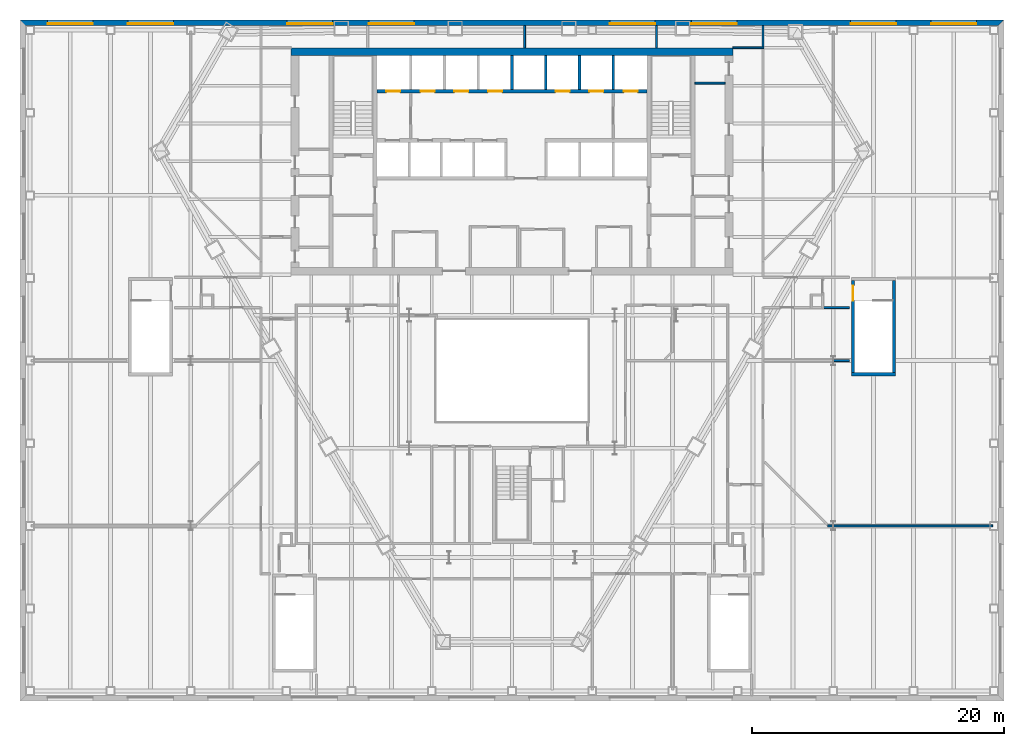
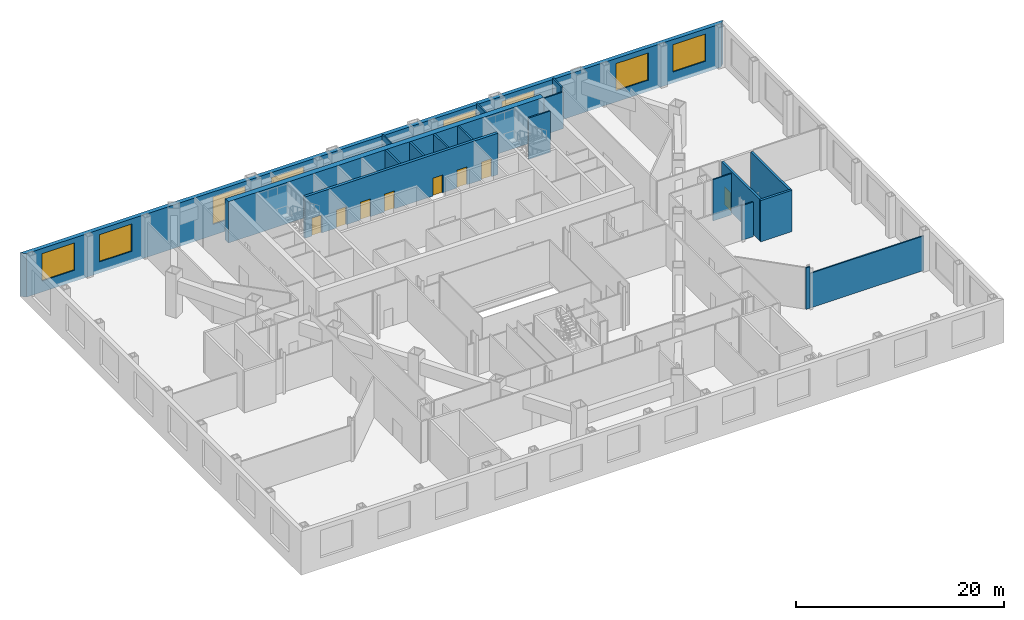
# One storey, part 13 of 17: 19 walls, 8 doors, 8 windows, 16 openings.
"""IFC4 building model written with IfcOpenShell, lengths in metres."""

import ifcopenshell
import ifcopenshell.guid

model = None  # the IFC model being written
_history = None  # IfcOwnerHistory: only IFC2X3 demands one
_inside = {}  # id of a spatial element -> (the spatial element, [elements in it])
_under = {}  # id of a project, library or spatial element -> (it, [spatial elements below it])
_declared = {}  # id of a project -> (the project, [libraries it declares])
_typed = {}  # id of a type object -> (the type object, [elements of that type])
_made_of = {}  # id of a material, layer set ... -> (it, [elements and type objects made of it])


def new_model(schema):
    """Start an empty IFC model of exactly this schema.

    Asked for "IFC4X3", IfcOpenShell would pick the latest addendum, in which some entities
    have other attributes; the version numbers below select the first issue.
    IFC2X3 requires an IfcOwnerHistory on every rooted entity: one is made here for all.
    """
    global model, _history
    if schema == "IFC4X3":
        model = ifcopenshell.file(schema_version=(4, 3, 0, 0))
    else:
        model = ifcopenshell.file(schema=schema)
    _inside.clear()
    _under.clear()
    _declared.clear()
    _typed.clear()
    _made_of.clear()
    _history = None
    if model.schema == "IFC2X3":
        org = make("IfcOrganization", Name="unknown")
        user = make(
            "IfcPersonAndOrganization",
            ThePerson=make("IfcPerson", FamilyName="unknown"),
            TheOrganization=org,
        )
        app = make(
            "IfcApplication",
            ApplicationDeveloper=org,
            Version="unknown",
            ApplicationFullName="unknown",
            ApplicationIdentifier="unknown",
        )
        _history = make(
            "IfcOwnerHistory",
            OwningUser=user,
            OwningApplication=app,
            ChangeAction="ADDED",
            CreationDate=0,
        )
    return model


def make(cls, **values):
    """One entity of the class cls with the attributes given. An attribute that is None is left unset."""
    return model.create_entity(
        cls, **{name: value for name, value in values.items() if value is not None}
    )


def rooted(cls, **values):
    """An entity with a GlobalId (a new one), such as an element, a storey or a relation."""
    return make(cls, GlobalId=ifcopenshell.guid.new(), OwnerHistory=_history, **values)


def si_unit(unit_type, name, prefix=None):
    """IfcSIUnit, for example si_unit("LENGTHUNIT", "METRE", prefix="MILLI")."""
    return make("IfcSIUnit", UnitType=unit_type, Prefix=prefix, Name=name)


def assignment(units):
    """IfcUnitAssignment: the units of a project."""
    return None if units is None else make("IfcUnitAssignment", Units=units)


def point(xyz):
    """IfcCartesianPoint."""
    return None if xyz is None else make("IfcCartesianPoint", Coordinates=xyz)


def direction(xyz):
    """IfcDirection."""
    return None if xyz is None else make("IfcDirection", DirectionRatios=xyz)


def frame(location, z_axis=None, x_axis=None):
    """IfcAxis2Placement3D, a coordinate frame: its origin and axes. An axis left out is left unset."""
    return make(
        "IfcAxis2Placement3D",
        Location=point(location),
        Axis=direction(z_axis),
        RefDirection=direction(x_axis),
    )


def frame_2d(location, x_axis=None):
    """IfcAxis2Placement2D, a coordinate frame in the plane: its origin and x axis."""
    return make(
        "IfcAxis2Placement2D", Location=point(location), RefDirection=direction(x_axis)
    )


def origin():
    """The frame at (0, 0, 0) with its axes left unset."""
    return frame((0.0, 0.0, 0.0))


def place(relative_to, where):
    """IfcLocalPlacement: puts the frame where relative to a parent placement (None: the world)."""
    return make(
        "IfcLocalPlacement", PlacementRelTo=relative_to, RelativePlacement=where
    )


def context(
    kind, dimensions, precision=None, world=None, true_north=None, identifier=None
):
    """IfcGeometricRepresentationContext, for example the 3D "Model" context."""
    return make(
        "IfcGeometricRepresentationContext",
        ContextIdentifier=identifier,
        ContextType=kind,
        CoordinateSpaceDimension=dimensions,
        Precision=precision,
        WorldCoordinateSystem=world,
        TrueNorth=true_north,
    )


def subcontext(parent, identifier, kind, view, scale=None):
    """IfcGeometricRepresentationSubContext, for example "Body" below "Model"."""
    return make(
        "IfcGeometricRepresentationSubContext",
        ContextIdentifier=identifier,
        ContextType=kind,
        ParentContext=parent,
        TargetScale=scale,
        TargetView=view,
    )


def project(units=None, contexts=None):
    """IfcProject with its units and contexts."""
    return rooted(
        "IfcProject",
        Name="project",
        RepresentationContexts=contexts,
        UnitsInContext=assignment(units),
    )


def spatial(cls, under=None, at=None, **own):
    """A site, building, storey or space (cls), placed at a placement, below another one or the project."""
    s = rooted(cls, ObjectPlacement=at, **own)
    if under is not None:
        _under.setdefault(under.id(), (under, []))[1].append(s)
    return s


def polyline(points):
    """IfcPolyline through the points."""
    return make("IfcPolyline", Points=[point(p) for p in points])


def profile(cls, at=None, kind="AREA", **sizes):
    """A parametric profile (cls). Its sizes go by their IFC names, for example OverallWidth=200.0."""
    return make(cls, ProfileType=kind, Position=at, **sizes)


def rectangle(**sizes):
    """IfcRectangleProfileDef."""
    return profile("IfcRectangleProfileDef", **sizes)


def outline(outer, holes=None, kind="AREA"):
    """IfcArbitraryClosedProfileDef: a profile drawn as a closed curve; with holes, ...WithVoids."""
    if holes is None:
        return make("IfcArbitraryClosedProfileDef", ProfileType=kind, OuterCurve=outer)
    return make(
        "IfcArbitraryProfileDefWithVoids",
        ProfileType=kind,
        OuterCurve=outer,
        InnerCurves=holes,
    )


def extrude(swept, where, along, depth):
    """IfcExtrudedAreaSolid: the profile swept, set in the frame where, extruded along a direction by depth."""
    return make(
        "IfcExtrudedAreaSolid",
        SweptArea=swept,
        Position=where,
        ExtrudedDirection=direction(along),
        Depth=depth,
    )


def shape(context_of_items, identifier, shape_type, items):
    """IfcShapeRepresentation: the items that make up one representation, for example the "Body"."""
    return make(
        "IfcShapeRepresentation",
        ContextOfItems=context_of_items,
        RepresentationIdentifier=identifier,
        RepresentationType=shape_type,
        Items=items,
    )


def material(Name=None, Category=None):
    """IfcMaterial."""
    return make("IfcMaterial", Name=Name, Category=Category)


def layer(
    of_material, thickness, ventilated=None, Name=None, Category=None, Priority=None
):
    """IfcMaterialLayer: one layer of a wall or slab, of a material (None: an air gap)."""
    return make(
        "IfcMaterialLayer",
        Material=of_material,
        LayerThickness=thickness,
        IsVentilated=ventilated,
        Name=Name,
        Category=Category,
        Priority=Priority,
    )


def layer_set(layers, Name=None):
    """IfcMaterialLayerSet."""
    return make("IfcMaterialLayerSet", MaterialLayers=layers, LayerSetName=Name)


def made_of(thing, what):
    """Note that an element or type object is made of a material, layer set ...; save() writes the relation."""
    if what is not None:
        _made_of.setdefault(what.id(), (what, []))[1].append(thing)
    return thing


def type_object(cls, material=None, **own):
    """A type object (cls), such as IfcWallType, which elements share."""
    return made_of(rooted(cls, **own), material)


def element(
    cls,
    number,
    at=None,
    inside=None,
    cuts=None,
    type_object=None,
    material=None,
    context=None,
    identifier="Body",
    shape_type=None,
    held_by="IfcProductDefinitionShape",
    body=None,
    shapes=None,
    **own,
):
    """One element of the class cls, such as IfcWall. Its Tag is "e" and its number.

    at: its placement. inside: the storey or other place that contains it. cuts: it is an
    opening in that element (IfcRelVoidsElement). A single representation is given by context,
    identifier, shape_type and body (its items); several are given by shapes. held_by: the class
    of the entity that holds the representations. save() writes the other relations.
    """
    e = rooted(cls, Tag="e%d" % number, ObjectPlacement=at, **own)
    if body is not None:
        shapes = [shape(context, identifier, shape_type, body)]
    if shapes is not None:
        e.Representation = make(held_by, Representations=shapes)
    if inside is not None:
        _inside.setdefault(inside.id(), (inside, []))[1].append(e)
    if cuts is not None:
        rooted(
            "IfcRelVoidsElement", RelatingBuildingElement=cuts, RelatedOpeningElement=e
        )
    if type_object is not None:
        _typed.setdefault(type_object.id(), (type_object, []))[1].append(e)
    return made_of(e, material)


def fill(opening, filler):
    """IfcRelFillsElement: the door or window that sits in an opening."""
    return rooted(
        "IfcRelFillsElement",
        RelatingOpeningElement=opening,
        RelatedBuildingElement=filler,
    )


def aggregate(whole, parts):
    """IfcRelAggregates: a whole, such as a stair, and the parts it consists of."""
    return rooted("IfcRelAggregates", RelatingObject=whole, RelatedObjects=parts)


def save(model, path):
    """Write the relations noted so far, then the file.

    IfcRelAggregates (storeys below a building ...), IfcRelContainedInSpatialStructure (elements
    in a storey), IfcRelDefinesByType, IfcRelAssociatesMaterial and IfcRelDeclares: one each for
    every whole, place, type object, material and project.
    """
    for whole, parts in _under.values():
        aggregate(whole, parts)
    for where, things in _inside.values():
        rooted(
            "IfcRelContainedInSpatialStructure",
            RelatedElements=things,
            RelatingStructure=where,
        )
    for kind, things in _typed.values():
        rooted("IfcRelDefinesByType", RelatedObjects=things, RelatingType=kind)
    for what, things in _made_of.values():
        rooted("IfcRelAssociatesMaterial", RelatedObjects=things, RelatingMaterial=what)
    for by, libraries in _declared.values():
        rooted("IfcRelDeclares", RelatingContext=by, RelatedDefinitions=libraries)
    model.write(path)


model = new_model("IFC4")

# Units and contexts
model_context = context("Model", 3, precision=1e-05, world=origin(), true_north=direction((0.0, 1.0)))
body_context = subcontext(model_context, "Body", "Model", "MODEL_VIEW")
ifc_project = project(units=[si_unit("LENGTHUNIT", "METRE"), si_unit("AREAUNIT", "SQUARE_METRE"), si_unit("VOLUMEUNIT", "CUBIC_METRE"), si_unit("PLANEANGLEUNIT", "RADIAN"), si_unit("MASSUNIT", "GRAM", prefix="KILO")], contexts=[model_context])

# Site, building, storey
site_placement = place(None, origin())
site = spatial("IfcSite", under=ifc_project, at=site_placement, CompositionType="ELEMENT")
building_placement = place(site_placement, origin())
building = spatial("IfcBuilding", under=site, at=building_placement, Name="Njiva Tower", CompositionType="ELEMENT")
storey_placement = place(building_placement, frame((0.0, 0.0, 23.7)))
storey = spatial("IfcBuildingStorey", under=building, at=storey_placement, Name="L04", CompositionType="ELEMENT", Elevation=23.7)

# Walls
ifc_material_1 = material(Name="Blockwork", Category="masonry")
ifc_layer_1 = layer(ifc_material_1, 0.15)
ifc_layer_set_1 = layer_set([ifc_layer_1], Name="Blockwork")
wall_type_1 = type_object("IfcWallType", Name="WT1 Compartment partition 150", PredefinedType="PARTITIONING", material=ifc_layer_set_1)
wall_1_placement = place(storey_placement, frame((14.5, 15.1914, 0.0), z_axis=(0.0, 0.0, 1.0), x_axis=(1.0, 0.0, 0.0)))
element("IfcWall", 1, at=wall_1_placement, inside=storey, type_object=wall_type_1, Name="Partition strip E10", PredefinedType="PARTITIONING", context=body_context, shape_type="SweptSolid", body=[
    extrude(rectangle(XDim=2.4, YDim=0.15, at=frame_2d((1.2, 0.0))), origin(), (0.0, 0.0, 1.0), 4.85),
])
ifc_material_2 = material(Name="Concrete C60/75", Category="concrete")
ifc_layer_2 = layer(ifc_material_2, 0.6)
ifc_layer_set_2 = layer_set([ifc_layer_2], Name="Concrete C60/75")
wall_type_2 = type_object("IfcWallType", Name="WT15 Core wall 600", PredefinedType="SHEAR", material=ifc_layer_set_2)
wall_2_placement = place(storey_placement, frame((-17.5, 17.7, 0.0), z_axis=(0.0, 0.0, 1.0), x_axis=(1.0, 0.0, 0.0)))
element("IfcWall", 2, at=wall_2_placement, inside=storey, type_object=wall_type_2, Name="Core wall north", PredefinedType="SHEAR", context=body_context, shape_type="SweptSolid", body=[
    extrude(rectangle(XDim=35.0, YDim=0.6, at=frame_2d((17.5, 0.0))), origin(), (0.0, 0.0, 1.0), 4.85),
])
ifc_material_3 = material(Name="Gypsum board on steel studs", Category="gypsum")
ifc_layer_3 = layer(ifc_material_3, 0.15)
ifc_layer_set_3 = layer_set([ifc_layer_3], Name="Gypsum board on steel studs")
wall_type_3 = type_object("IfcWallType", Name="WT21 Compartment wall 150", PredefinedType="PARTITIONING", material=ifc_layer_set_3)
wall_3_placement = place(storey_placement, frame((25.467, -6.8, 0.0), z_axis=(0.0, 0.0, 1.0), x_axis=(1.0, 0.0, 0.0)))
element("IfcWall", 3, at=wall_3_placement, inside=storey, type_object=wall_type_3, Name="Partition L04-P079A", PredefinedType="PARTITIONING", context=body_context, shape_type="SweptSolid", body=[
    extrude(rectangle(XDim=1.283, YDim=0.15, at=frame_2d((0.6415, 0.0))), origin(), (0.0, 0.0, 1.0), 4.06),
])
wall_4_placement = place(storey_placement, frame((24.7, -2.6, 0.0), z_axis=(0.0, 0.0, 1.0), x_axis=(1.0, 0.0, 0.0)))
element("IfcWall", 4, at=wall_4_placement, inside=storey, type_object=wall_type_3, Name="Partition L04-P088", PredefinedType="PARTITIONING", context=body_context, shape_type="SweptSolid", body=[
    extrude(rectangle(XDim=2.05, YDim=0.15, at=frame_2d((1.025, 0.0))), origin(), (0.0, 0.0, 1.0), 4.85),
])
wall_5_placement = place(storey_placement, frame((25.026, -19.9, 0.0), z_axis=(0.0, 0.0, 1.0), x_axis=(1.0, 0.0, 0.0)))
element("IfcWall", 5, at=wall_5_placement, inside=storey, type_object=wall_type_3, Name="Partition L04-P089", PredefinedType="PARTITIONING", context=body_context, shape_type="SweptSolid", body=[
    extrude(rectangle(XDim=0.441, YDim=0.15, at=frame_2d((0.2205, 0.0))), origin(), (0.0, 0.0, 1.0), 4.85),
])
wall_6_placement = place(storey_placement, frame((25.467, -19.9, 0.0), z_axis=(0.0, 0.0, 1.0), x_axis=(0.999999996867, 7.9157761e-05, 0.0)))
element("IfcWall", 6, at=wall_6_placement, inside=storey, type_object=wall_type_3, Name="Partition L04-P089A", PredefinedType="PARTITIONING", context=body_context, shape_type="SweptSolid", body=[
    extrude(rectangle(XDim=12.633, YDim=0.15, at=frame_2d((6.3165, 0.0))), origin(), (0.0, 0.0, 1.0), 4.06),
])
ifc_layer_4 = layer(ifc_material_3, 0.15)
ifc_layer_set_4 = layer_set([ifc_layer_4], Name="Gypsum board on steel studs")
wall_type_4 = type_object("IfcWallType", Name="WT24 Riser room wall 150", PredefinedType="PARTITIONING", material=ifc_layer_set_4)
for number, where, z_axis, x_axis, name in (
    (7, (1.0, 18.0, 0.0), (0.0, 0.0, 1.0), (0.0, 1.0, 0.0), "Partition L04-P046"),
    (8, (11.45, 18.0, 0.0), (0.0, 0.0, 1.0), (0.0, 1.0, 0.0), "Partition L04-P056"),
):
    element("IfcWall", number, at=place(storey_placement, frame(where, z_axis=z_axis, x_axis=x_axis)), inside=storey, type_object=wall_type_4, Name=name, PredefinedType="PARTITIONING", context=body_context, shape_type="SweptSolid", body=[
        extrude(rectangle(XDim=1.75, YDim=0.15, at=frame_2d((0.875, 0.0))), origin(), (0.0, 0.0, 1.0), 4.85),
    ])
wall_7_placement = place(storey_placement, frame((17.5, 18.0, 0.0), z_axis=(0.0, 0.0, 1.0), x_axis=(1.0, 0.0, 0.0)))
element("IfcWall", 9, at=wall_7_placement, inside=storey, type_object=wall_type_4, Name="Partition L04-P067", PredefinedType="PARTITIONING", context=body_context, shape_type="SweptSolid", body=[
    extrude(rectangle(XDim=2.475, YDim=0.15, at=frame_2d((1.2375, 0.0))), origin(), (0.0, 0.0, 1.0), 4.3),
])
wall_8_placement = place(storey_placement, frame((19.9, 18.075, 0.0), z_axis=(0.0, 0.0, 1.0), x_axis=(0.0, 1.0, 0.0)))
element("IfcWall", 10, at=wall_8_placement, inside=storey, type_object=wall_type_4, Name="Partition L04-P077", PredefinedType="PARTITIONING", context=body_context, shape_type="SweptSolid", body=[
    extrude(rectangle(XDim=1.675, YDim=0.15, at=frame_2d((0.8375, 0.0))), origin(), (0.0, 0.0, 1.0), 4.85),
])
ifc_material_4 = material(Name="Concrete C40/50", Category="concrete")
ifc_layer_5 = layer(ifc_material_4, 0.2)
ifc_layer_set_5 = layer_set([ifc_layer_5], Name="Concrete C40/50")
wall_type_5 = type_object("IfcWallType", Name="WT6 Lift shaft wall 200", PredefinedType="SHEAR", material=ifc_layer_set_5)
for number, where, z_axis, x_axis, name in (
    (11, (0.0, 14.7, 0.0), (0.0, 0.0, 1.0), (0.0, 1.0, 0.0), "Shaft wall CN4"),
    (12, (2.675, 14.7, 0.0), (0.0, 0.0, 1.0), (0.0, 1.0, 0.0), "Shaft wall CN5"),
    (13, (5.35, 14.7, 0.0), (0.0, 0.0, 1.0), (0.0, 1.0, 0.0), "Shaft wall CN6"),
    (14, (8.025, 14.7, 0.0), (0.0, 0.0, 1.0), (0.0, 1.0, 0.0), "Shaft wall CN7"),
):
    element("IfcWall", number, at=place(storey_placement, frame(where, z_axis=z_axis, x_axis=x_axis)), inside=storey, type_object=wall_type_5, Name=name, PredefinedType="SHEAR", context=body_context, shape_type="SweptSolid", body=[
        extrude(rectangle(XDim=2.7, YDim=0.2, at=frame_2d((1.35, 0.0))), origin(), (0.0, 0.0, 1.0), 4.85),
    ])

# Wall, openings, doors
ifc_layer_6 = layer(ifc_material_4, 0.3)
ifc_layer_set_6 = layer_set([ifc_layer_6], Name="Concrete C40/50")
wall_type_6 = type_object("IfcWallType", Name="WT7 Lift shaft wall 300", PredefinedType="SHEAR", material=ifc_layer_set_6)
wall_9_placement = place(storey_placement, frame((-10.7, 14.55, 0.0), z_axis=(0.0, 0.0, 1.0), x_axis=(1.0, 0.0, 0.0)))
wall_9 = element("IfcWall", 15, at=wall_9_placement, inside=storey, type_object=wall_type_6, Name="Shaft wall north row lobby side", PredefinedType="SHEAR", context=body_context, shape_type="SweptSolid", body=[
    extrude(rectangle(XDim=21.4, YDim=0.3, at=frame_2d((10.7, 0.0))), origin(), (0.0, 0.0, 1.0), 4.85),
])
opening_1_placement = place(wall_9_placement, frame((0.7375, 0.0, 0.0)))
opening_1 = element("IfcOpeningElement", 16, at=opening_1_placement, cuts=wall_9, Name="Opening L04-D901", PredefinedType="OPENING", context=body_context, shape_type="SweptSolid", body=[
    extrude(rectangle(XDim=1.1, YDim=2.1, at=frame_2d((0.55, 1.05))), frame((0.0, 0.16, 0.0), z_axis=(0.0, -1.0, 0.0), x_axis=(1.0, 0.0, 0.0)), (0.0, 0.0, 1.0), 0.32),
])
opening_2_placement = place(wall_9_placement, frame((3.4625, 0.0, 0.0)))
opening_2 = element("IfcOpeningElement", 17, at=opening_2_placement, cuts=wall_9, Name="Opening L04-D902", PredefinedType="OPENING", context=body_context, shape_type="SweptSolid", body=[
    extrude(rectangle(XDim=1.1, YDim=2.1, at=frame_2d((0.55, 1.05))), frame((0.0, 0.16, 0.0), z_axis=(0.0, -1.0, 0.0), x_axis=(1.0, 0.0, 0.0)), (0.0, 0.0, 1.0), 0.32),
])
opening_3_placement = place(wall_9_placement, frame((6.1375, 0.0, 0.0)))
opening_3 = element("IfcOpeningElement", 18, at=opening_3_placement, cuts=wall_9, Name="Opening L04-D903", PredefinedType="OPENING", context=body_context, shape_type="SweptSolid", body=[
    extrude(rectangle(XDim=1.1, YDim=2.1, at=frame_2d((0.55, 1.05))), frame((0.0, 0.16, 0.0), z_axis=(0.0, -1.0, 0.0), x_axis=(1.0, 0.0, 0.0)), (0.0, 0.0, 1.0), 0.32),
])
opening_4_placement = place(wall_9_placement, frame((8.8125, 0.0, 0.0)))
opening_4 = element("IfcOpeningElement", 19, at=opening_4_placement, cuts=wall_9, Name="Opening L04-D904", PredefinedType="OPENING", context=body_context, shape_type="SweptSolid", body=[
    extrude(rectangle(XDim=1.1, YDim=2.1, at=frame_2d((0.55, 1.05))), frame((0.0, 0.16, 0.0), z_axis=(0.0, -1.0, 0.0), x_axis=(1.0, 0.0, 0.0)), (0.0, 0.0, 1.0), 0.32),
])
opening_5_placement = place(wall_9_placement, frame((14.1625, 0.0, 0.0)))
opening_5 = element("IfcOpeningElement", 20, at=opening_5_placement, cuts=wall_9, Name="Opening L04-D905", PredefinedType="OPENING", context=body_context, shape_type="SweptSolid", body=[
    extrude(rectangle(XDim=1.1, YDim=2.1, at=frame_2d((0.55, 1.05))), frame((0.0, 0.16, 0.0), z_axis=(0.0, -1.0, 0.0), x_axis=(1.0, 0.0, 0.0)), (0.0, 0.0, 1.0), 0.32),
])
opening_6_placement = place(wall_9_placement, frame((16.8375, 0.0, 0.0)))
opening_6 = element("IfcOpeningElement", 21, at=opening_6_placement, cuts=wall_9, Name="Opening L04-D906", PredefinedType="OPENING", context=body_context, shape_type="SweptSolid", body=[
    extrude(rectangle(XDim=1.1, YDim=2.1, at=frame_2d((0.55, 1.05))), frame((0.0, 0.16, 0.0), z_axis=(0.0, -1.0, 0.0), x_axis=(1.0, 0.0, 0.0)), (0.0, 0.0, 1.0), 0.32),
])
opening_7_placement = place(wall_9_placement, frame((19.5625, 0.0, 0.0)))
opening_7 = element("IfcOpeningElement", 22, at=opening_7_placement, cuts=wall_9, Name="Opening L04-D907", PredefinedType="OPENING", context=body_context, shape_type="SweptSolid", body=[
    extrude(rectangle(XDim=1.1, YDim=2.1, at=frame_2d((0.55, 1.05))), frame((0.0, 0.16, 0.0), z_axis=(0.0, -1.0, 0.0), x_axis=(1.0, 0.0, 0.0)), (0.0, 0.0, 1.0), 0.32),
])
ifc_material_5 = material(Name="Stainless steel sliding door", Category="steel")
door_type_1 = type_object("IfcDoorType", Name="LD Lift landing door 1100x2100", OperationType="SLIDING_TO_LEFT", PredefinedType="DOOR", material=ifc_material_5)
door_1_placement = place(opening_1_placement, origin())
door_1 = element("IfcDoor", 23, at=door_1_placement, inside=storey, type_object=door_type_1, Name="Lift landing door FF1", OperationType="SLIDING_TO_LEFT", OverallHeight=2.1, OverallWidth=1.1, PredefinedType="DOOR", context=body_context, shape_type="SweptSolid", body=[
    extrude(rectangle(XDim=1.1, YDim=2.1, at=frame_2d((0.55, 1.05))), frame((0.0, 0.025, 0.0), z_axis=(0.0, -1.0, 0.0), x_axis=(1.0, 0.0, 0.0)), (0.0, 0.0, 1.0), 0.05),
])
fill(opening_1, door_1)
door_2_placement = place(opening_2_placement, origin())
door_2 = element("IfcDoor", 24, at=door_2_placement, inside=storey, type_object=door_type_1, Name="Lift landing door LB1", OperationType="SLIDING_TO_LEFT", OverallHeight=2.1, OverallWidth=1.1, PredefinedType="DOOR", context=body_context, shape_type="SweptSolid", body=[
    extrude(rectangle(XDim=1.1, YDim=2.1, at=frame_2d((0.55, 1.05))), frame((0.0, 0.025, 0.0), z_axis=(0.0, -1.0, 0.0), x_axis=(1.0, 0.0, 0.0)), (0.0, 0.0, 1.0), 0.05),
])
fill(opening_2, door_2)
door_3_placement = place(opening_3_placement, origin())
door_3 = element("IfcDoor", 25, at=door_3_placement, inside=storey, type_object=door_type_1, Name="Lift landing door LB2", OperationType="SLIDING_TO_LEFT", OverallHeight=2.1, OverallWidth=1.1, PredefinedType="DOOR", context=body_context, shape_type="SweptSolid", body=[
    extrude(rectangle(XDim=1.1, YDim=2.1, at=frame_2d((0.55, 1.05))), frame((0.0, 0.025, 0.0), z_axis=(0.0, -1.0, 0.0), x_axis=(1.0, 0.0, 0.0)), (0.0, 0.0, 1.0), 0.05),
])
fill(opening_3, door_3)
door_4_placement = place(opening_4_placement, origin())
door_4 = element("IfcDoor", 26, at=door_4_placement, inside=storey, type_object=door_type_1, Name="Lift landing door LB3", OperationType="SLIDING_TO_LEFT", OverallHeight=2.1, OverallWidth=1.1, PredefinedType="DOOR", context=body_context, shape_type="SweptSolid", body=[
    extrude(rectangle(XDim=1.1, YDim=2.1, at=frame_2d((0.55, 1.05))), frame((0.0, 0.025, 0.0), z_axis=(0.0, -1.0, 0.0), x_axis=(1.0, 0.0, 0.0)), (0.0, 0.0, 1.0), 0.05),
])
fill(opening_4, door_4)
door_5_placement = place(opening_5_placement, origin())
door_5 = element("IfcDoor", 27, at=door_5_placement, inside=storey, type_object=door_type_1, Name="Lift landing door FR1", OperationType="SLIDING_TO_LEFT", OverallHeight=2.1, OverallWidth=1.1, PredefinedType="DOOR", context=body_context, shape_type="SweptSolid", body=[
    extrude(rectangle(XDim=1.1, YDim=2.1, at=frame_2d((0.55, 1.05))), frame((0.0, 0.025, 0.0), z_axis=(0.0, -1.0, 0.0), x_axis=(1.0, 0.0, 0.0)), (0.0, 0.0, 1.0), 0.05),
])
fill(opening_5, door_5)
door_6_placement = place(opening_6_placement, origin())
door_6 = element("IfcDoor", 28, at=door_6_placement, inside=storey, type_object=door_type_1, Name="Lift landing door FR2", OperationType="SLIDING_TO_LEFT", OverallHeight=2.1, OverallWidth=1.1, PredefinedType="DOOR", context=body_context, shape_type="SweptSolid", body=[
    extrude(rectangle(XDim=1.1, YDim=2.1, at=frame_2d((0.55, 1.05))), frame((0.0, 0.025, 0.0), z_axis=(0.0, -1.0, 0.0), x_axis=(1.0, 0.0, 0.0)), (0.0, 0.0, 1.0), 0.05),
])
fill(opening_6, door_6)
door_7_placement = place(opening_7_placement, origin())
door_7 = element("IfcDoor", 29, at=door_7_placement, inside=storey, type_object=door_type_1, Name="Lift landing door FF2", OperationType="SLIDING_TO_LEFT", OverallHeight=2.1, OverallWidth=1.1, PredefinedType="DOOR", context=body_context, shape_type="SweptSolid", body=[
    extrude(rectangle(XDim=1.1, YDim=2.1, at=frame_2d((0.55, 1.05))), frame((0.0, 0.025, 0.0), z_axis=(0.0, -1.0, 0.0), x_axis=(1.0, 0.0, 0.0)), (0.0, 0.0, 1.0), 0.05),
])
fill(opening_7, door_7)

# Wall, opening, door
ifc_layer_7 = layer(ifc_material_4, 0.25)
ifc_layer_set_7 = layer_set([ifc_layer_7], Name="Concrete C40/50")
wall_type_7 = type_object("IfcWallType", Name="WT9 Stair enclosure wall 250", PredefinedType="SHEAR", material=ifc_layer_set_7)
wall_10_placement = place(storey_placement, frame((27.025, -7.75, 0.0), z_axis=(0.0, 0.0, 1.0), x_axis=(0.0, 1.0, 0.0)))
wall_10 = element("IfcWall", 30, at=wall_10_placement, inside=storey, type_object=wall_type_7, Name="Stair G wall west", PredefinedType="SHEAR", context=body_context, shape_type="SweptSolid", body=[
    extrude(rectangle(XDim=7.3, YDim=0.25, at=frame_2d((3.65, 0.0))), origin(), (0.0, 0.0, 1.0), 4.85),
])
opening_8_placement = place(wall_10_placement, frame((5.7, 0.0, 0.0)))
opening_8 = element("IfcOpeningElement", 31, at=opening_8_placement, cuts=wall_10, Name="Opening L04-D944", PredefinedType="OPENING", context=body_context, shape_type="SweptSolid", body=[
    extrude(rectangle(XDim=1.2, YDim=2.1, at=frame_2d((0.6, 1.05))), frame((0.0, 0.135, 0.0), z_axis=(0.0, -1.0, 0.0), x_axis=(1.0, 0.0, 0.0)), (0.0, 0.0, 1.0), 0.27),
])
ifc_material_6 = material(Name="Steel door, painted", Category="steel")
door_type_2 = type_object("IfcDoorType", Name="D1 Stair door 1200x2100", OperationType="SINGLE_SWING_LEFT", PredefinedType="DOOR", material=ifc_material_6)
door_8_placement = place(opening_8_placement, origin())
door_8 = element("IfcDoor", 32, at=door_8_placement, inside=storey, type_object=door_type_2, Name="Stair G door", OperationType="SINGLE_SWING_RIGHT", OverallHeight=2.1, OverallWidth=1.2, PredefinedType="DOOR", context=body_context, shape_type="SweptSolid", body=[
    extrude(rectangle(XDim=1.2, YDim=2.1, at=frame_2d((0.6, 1.05))), frame((0.0, 0.025, 0.0), z_axis=(0.0, -1.0, 0.0), x_axis=(1.0, 0.0, 0.0)), (0.0, 0.0, 1.0), 0.05),
])
fill(opening_8, door_8)

# Walls
wall_11_placement = place(storey_placement, frame((30.275, -7.75, 0.0), z_axis=(0.0, 0.0, 1.0), x_axis=(0.0, 1.0, 0.0)))
element("IfcWall", 33, at=wall_11_placement, inside=storey, type_object=wall_type_7, Name="Stair G wall east", PredefinedType="SHEAR", context=body_context, shape_type="SweptSolid", body=[
    extrude(rectangle(XDim=7.3, YDim=0.25, at=frame_2d((3.65, 0.0))), origin(), (0.0, 0.0, 1.0), 4.85),
])
wall_12_placement = place(storey_placement, frame((26.9, -7.875, 0.0), z_axis=(0.0, 0.0, 1.0), x_axis=(1.0, 0.0, 0.0)))
element("IfcWall", 34, at=wall_12_placement, inside=storey, type_object=wall_type_7, Name="Stair G wall south", PredefinedType="SHEAR", context=body_context, shape_type="SweptSolid", body=[
    extrude(rectangle(XDim=3.5, YDim=0.25, at=frame_2d((1.75, 0.0))), origin(), (0.0, 0.0, 1.0), 4.85),
])

# Wall, openings, windows
ifc_material_7 = material(Name="Brick masonry", Category="masonry")
ifc_layer_8 = layer(ifc_material_7, 0.45)
ifc_layer_set_8 = layer_set([ifc_layer_8], Name="Brick masonry")
wall_type_8 = type_object("IfcWallType", Name="WT90 Brick pier and spandrel wall 450", PredefinedType="SOLIDWALL", material=ifc_layer_set_8)
wall_13_placement = place(storey_placement, frame((38.775, 19.975, -0.4), z_axis=(0.0, 0.0, 1.0), x_axis=(-1.0, 0.0, 0.0)))
wall_13 = element("IfcWall", 35, at=wall_13_placement, inside=storey, type_object=wall_type_8, Name="Podium wall N", PredefinedType="SOLIDWALL", context=body_context, shape_type="SweptSolid", body=[
    extrude(outline(polyline([(-0.225, -0.225), (77.775, -0.225), (77.325, 0.225), (0.225, 0.225), (-0.225, -0.225)])), origin(), (0.0, 0.0, 1.0), 5.1),
])
opening_9_placement = place(wall_13_placement, frame((1.9584, 0.0, 1.3)))
opening_9 = element("IfcOpeningElement", 36, at=opening_9_placement, cuts=wall_13, Name="Opening L04-W09", PredefinedType="OPENING", context=body_context, shape_type="SweptSolid", body=[
    extrude(rectangle(XDim=3.6, YDim=3.2, at=frame_2d((1.8, 1.6))), frame((0.0, 0.235, 0.0), z_axis=(0.0, -1.0, 0.0), x_axis=(1.0, 0.0, 0.0)), (0.0, 0.0, 1.0), 0.47),
])
opening_10_placement = place(wall_13_placement, frame((8.325, 0.0, 1.3)))
opening_10 = element("IfcOpeningElement", 37, at=opening_10_placement, cuts=wall_13, Name="Opening L04-W10", PredefinedType="OPENING", context=body_context, shape_type="SweptSolid", body=[
    extrude(rectangle(XDim=3.6, YDim=3.2, at=frame_2d((1.8, 1.6))), frame((0.0, 0.235, 0.0), z_axis=(0.0, -1.0, 0.0), x_axis=(1.0, 0.0, 0.0)), (0.0, 0.0, 1.0), 0.47),
])
opening_11_placement = place(wall_13_placement, frame((20.952, 0.0, 1.3)))
opening_11 = element("IfcOpeningElement", 38, at=opening_11_placement, cuts=wall_13, Name="Opening L04-W11", PredefinedType="OPENING", context=body_context, shape_type="SweptSolid", body=[
    extrude(rectangle(XDim=3.6, YDim=3.2, at=frame_2d((1.8, 1.6))), frame((0.0, 0.235, 0.0), z_axis=(0.0, -1.0, 0.0), x_axis=(1.0, 0.0, 0.0)), (0.0, 0.0, 1.0), 0.47),
])
opening_12_placement = place(wall_13_placement, frame((27.425, 0.0, 1.3)))
opening_12 = element("IfcOpeningElement", 39, at=opening_12_placement, cuts=wall_13, Name="Opening L04-W12", PredefinedType="OPENING", context=body_context, shape_type="SweptSolid", body=[
    extrude(rectangle(XDim=3.6, YDim=3.2, at=frame_2d((1.8, 1.6))), frame((0.0, 0.235, 0.0), z_axis=(0.0, -1.0, 0.0), x_axis=(1.0, 0.0, 0.0)), (0.0, 0.0, 1.0), 0.47),
])
opening_13_placement = place(wall_13_placement, frame((46.525, 0.0, 1.3)))
opening_13 = element("IfcOpeningElement", 40, at=opening_13_placement, cuts=wall_13, Name="Opening L04-W13", PredefinedType="OPENING", context=body_context, shape_type="SweptSolid", body=[
    extrude(rectangle(XDim=3.6, YDim=3.2, at=frame_2d((1.8, 1.6))), frame((0.0, 0.235, 0.0), z_axis=(0.0, -1.0, 0.0), x_axis=(1.0, 0.0, 0.0)), (0.0, 0.0, 1.0), 0.47),
])
opening_14_placement = place(wall_13_placement, frame((52.998, 0.0, 1.3)))
opening_14 = element("IfcOpeningElement", 41, at=opening_14_placement, cuts=wall_13, Name="Opening L04-W14", PredefinedType="OPENING", context=body_context, shape_type="SweptSolid", body=[
    extrude(rectangle(XDim=3.6, YDim=3.2, at=frame_2d((1.8, 1.6))), frame((0.0, 0.235, 0.0), z_axis=(0.0, -1.0, 0.0), x_axis=(1.0, 0.0, 0.0)), (0.0, 0.0, 1.0), 0.47),
])
opening_15_placement = place(wall_13_placement, frame((65.625, 0.0, 1.3)))
opening_15 = element("IfcOpeningElement", 42, at=opening_15_placement, cuts=wall_13, Name="Opening L04-W15", PredefinedType="OPENING", context=body_context, shape_type="SweptSolid", body=[
    extrude(rectangle(XDim=3.6, YDim=3.2, at=frame_2d((1.8, 1.6))), frame((0.0, 0.235, 0.0), z_axis=(0.0, -1.0, 0.0), x_axis=(1.0, 0.0, 0.0)), (0.0, 0.0, 1.0), 0.47),
])
opening_16_placement = place(wall_13_placement, frame((71.9917, 0.0, 1.3)))
opening_16 = element("IfcOpeningElement", 43, at=opening_16_placement, cuts=wall_13, Name="Opening L04-W16", PredefinedType="OPENING", context=body_context, shape_type="SweptSolid", body=[
    extrude(rectangle(XDim=3.6, YDim=3.2, at=frame_2d((1.8, 1.6))), frame((0.0, 0.235, 0.0), z_axis=(0.0, -1.0, 0.0), x_axis=(1.0, 0.0, 0.0)), (0.0, 0.0, 1.0), 0.47),
])
ifc_material_8 = material(Name="Clear glazing in aluminium frame", Category="aluminium")
window_type = type_object("IfcWindowType", Name="W98 Deep-set window 3600x3200", PartitioningType="SINGLE_PANEL", PredefinedType="WINDOW", material=ifc_material_8)
window_1_placement = place(opening_9_placement, origin())
window_1 = element("IfcWindow", 44, at=window_1_placement, inside=storey, type_object=window_type, Name="Window", OverallHeight=3.2, OverallWidth=3.6, PartitioningType="SINGLE_PANEL", PredefinedType="WINDOW", context=body_context, shape_type="SweptSolid", body=[
    extrude(rectangle(XDim=3.6, YDim=3.2, at=frame_2d((1.8, 1.6))), frame((0.0, 0.105, 0.0), z_axis=(0.0, -1.0, 0.0), x_axis=(1.0, 0.0, 0.0)), (0.0, 0.0, 1.0), 0.06),
])
fill(opening_9, window_1)
window_2_placement = place(opening_10_placement, origin())
window_2 = element("IfcWindow", 45, at=window_2_placement, inside=storey, type_object=window_type, Name="Window", OverallHeight=3.2, OverallWidth=3.6, PartitioningType="SINGLE_PANEL", PredefinedType="WINDOW", context=body_context, shape_type="SweptSolid", body=[
    extrude(rectangle(XDim=3.6, YDim=3.2, at=frame_2d((1.8, 1.6))), frame((0.0, 0.105, 0.0), z_axis=(0.0, -1.0, 0.0), x_axis=(1.0, 0.0, 0.0)), (0.0, 0.0, 1.0), 0.06),
])
fill(opening_10, window_2)
window_3_placement = place(opening_11_placement, origin())
window_3 = element("IfcWindow", 46, at=window_3_placement, inside=storey, type_object=window_type, Name="Window", OverallHeight=3.2, OverallWidth=3.6, PartitioningType="SINGLE_PANEL", PredefinedType="WINDOW", context=body_context, shape_type="SweptSolid", body=[
    extrude(rectangle(XDim=3.6, YDim=3.2, at=frame_2d((1.8, 1.6))), frame((0.0, 0.105, 0.0), z_axis=(0.0, -1.0, 0.0), x_axis=(1.0, 0.0, 0.0)), (0.0, 0.0, 1.0), 0.06),
])
fill(opening_11, window_3)
window_4_placement = place(opening_12_placement, origin())
window_4 = element("IfcWindow", 47, at=window_4_placement, inside=storey, type_object=window_type, Name="Window", OverallHeight=3.2, OverallWidth=3.6, PartitioningType="SINGLE_PANEL", PredefinedType="WINDOW", context=body_context, shape_type="SweptSolid", body=[
    extrude(rectangle(XDim=3.6, YDim=3.2, at=frame_2d((1.8, 1.6))), frame((0.0, 0.105, 0.0), z_axis=(0.0, -1.0, 0.0), x_axis=(1.0, 0.0, 0.0)), (0.0, 0.0, 1.0), 0.06),
])
fill(opening_12, window_4)
window_5_placement = place(opening_13_placement, origin())
window_5 = element("IfcWindow", 48, at=window_5_placement, inside=storey, type_object=window_type, Name="Window", OverallHeight=3.2, OverallWidth=3.6, PartitioningType="SINGLE_PANEL", PredefinedType="WINDOW", context=body_context, shape_type="SweptSolid", body=[
    extrude(rectangle(XDim=3.6, YDim=3.2, at=frame_2d((1.8, 1.6))), frame((0.0, 0.105, 0.0), z_axis=(0.0, -1.0, 0.0), x_axis=(1.0, 0.0, 0.0)), (0.0, 0.0, 1.0), 0.06),
])
fill(opening_13, window_5)
window_6_placement = place(opening_14_placement, origin())
window_6 = element("IfcWindow", 49, at=window_6_placement, inside=storey, type_object=window_type, Name="Window", OverallHeight=3.2, OverallWidth=3.6, PartitioningType="SINGLE_PANEL", PredefinedType="WINDOW", context=body_context, shape_type="SweptSolid", body=[
    extrude(rectangle(XDim=3.6, YDim=3.2, at=frame_2d((1.8, 1.6))), frame((0.0, 0.105, 0.0), z_axis=(0.0, -1.0, 0.0), x_axis=(1.0, 0.0, 0.0)), (0.0, 0.0, 1.0), 0.06),
])
fill(opening_14, window_6)
window_7_placement = place(opening_15_placement, origin())
window_7 = element("IfcWindow", 50, at=window_7_placement, inside=storey, type_object=window_type, Name="Window", OverallHeight=3.2, OverallWidth=3.6, PartitioningType="SINGLE_PANEL", PredefinedType="WINDOW", context=body_context, shape_type="SweptSolid", body=[
    extrude(rectangle(XDim=3.6, YDim=3.2, at=frame_2d((1.8, 1.6))), frame((0.0, 0.105, 0.0), z_axis=(0.0, -1.0, 0.0), x_axis=(1.0, 0.0, 0.0)), (0.0, 0.0, 1.0), 0.06),
])
fill(opening_15, window_7)
window_8_placement = place(opening_16_placement, origin())
window_8 = element("IfcWindow", 51, at=window_8_placement, inside=storey, type_object=window_type, Name="Window", OverallHeight=3.2, OverallWidth=3.6, PartitioningType="SINGLE_PANEL", PredefinedType="WINDOW", context=body_context, shape_type="SweptSolid", body=[
    extrude(rectangle(XDim=3.6, YDim=3.2, at=frame_2d((1.8, 1.6))), frame((0.0, 0.105, 0.0), z_axis=(0.0, -1.0, 0.0), x_axis=(1.0, 0.0, 0.0)), (0.0, 0.0, 1.0), 0.06),
])
fill(opening_16, window_8)

save(model, "model.ifc")
